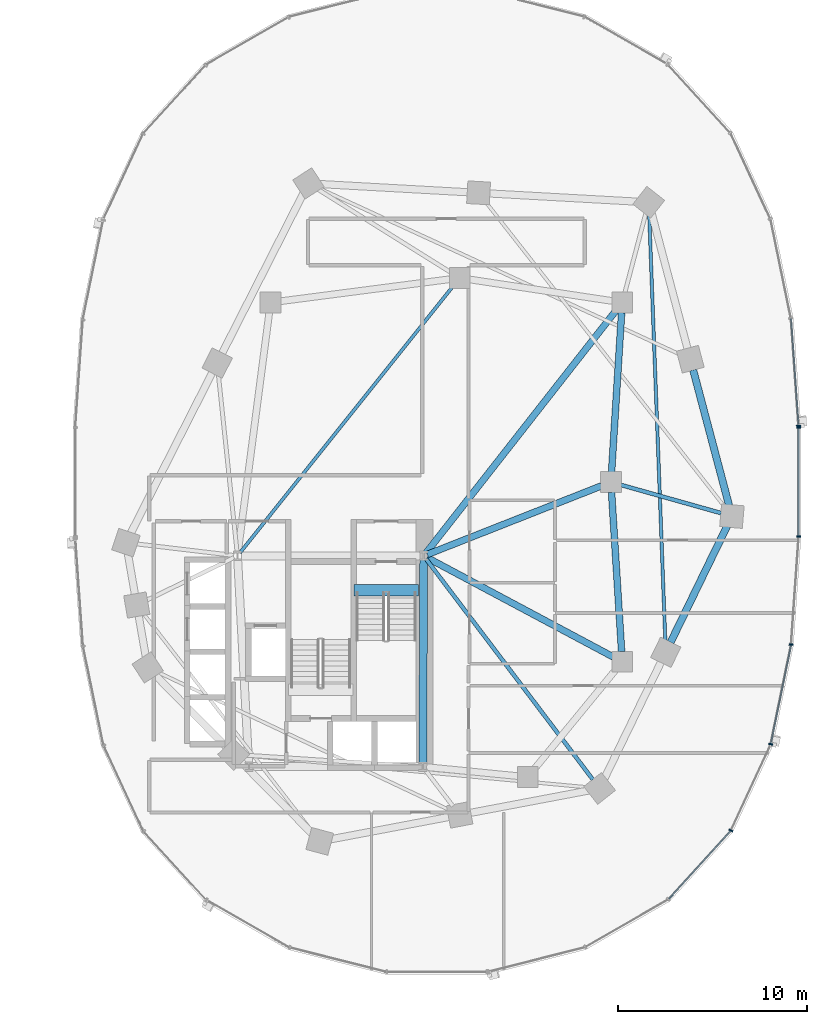
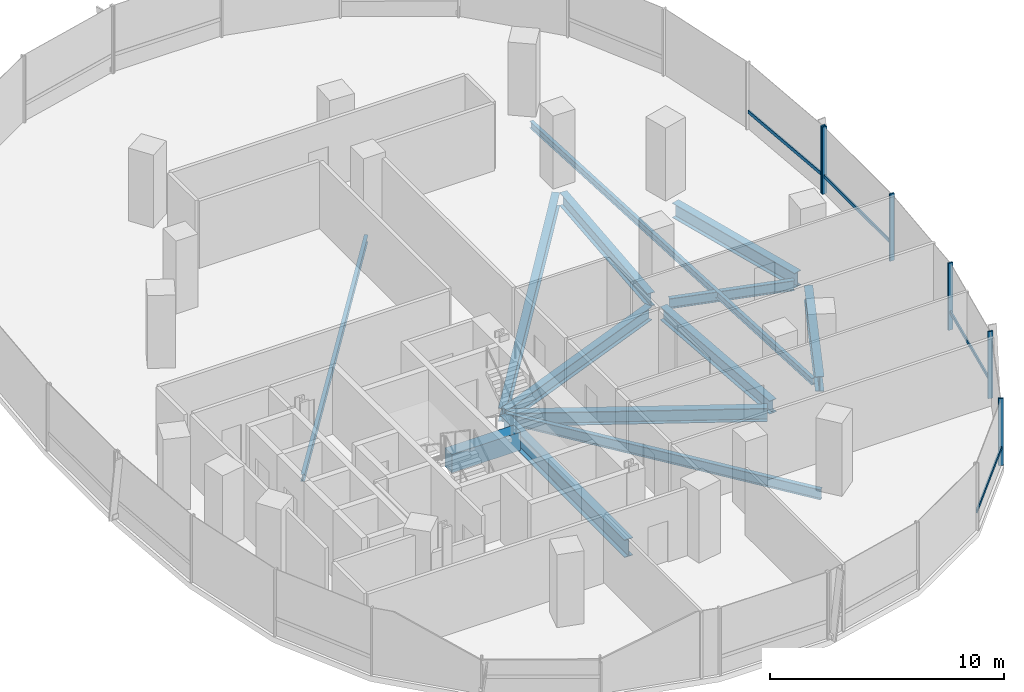
# One storey, part 6 of 21: 13 beams, 10 members, 2 elements without a shape of their own.
"""IFC4 building model written with IfcOpenShell, lengths in metres."""

from ifc_helpers import new_model, si_unit, direction, frame, origin, origin_2d, place, context, subcontext, project, spatial, rectangle, i_section, extrude, material, material_profile, profile_set, type_object, element, aggregate, save


model = new_model("IFC4")

# Units and contexts
model_context = context("Model", 3, precision=1e-05, world=origin(), true_north=direction((0.0, 1.0)))
body_context = subcontext(model_context, "Body", "Model", "MODEL_VIEW")
ifc_project = project(units=[si_unit("LENGTHUNIT", "METRE"), si_unit("AREAUNIT", "SQUARE_METRE"), si_unit("VOLUMEUNIT", "CUBIC_METRE"), si_unit("PLANEANGLEUNIT", "RADIAN"), si_unit("MASSUNIT", "GRAM", prefix="KILO"), si_unit("THERMODYNAMICTEMPERATUREUNIT", "KELVIN"), si_unit("POWERUNIT", "WATT")], contexts=[model_context])

# Site, building, storey
site_placement = place(None, origin())
site = spatial("IfcSite", under=ifc_project, at=site_placement, CompositionType="ELEMENT")
building_placement = place(site_placement, origin())
building = spatial("IfcBuilding", under=site, at=building_placement, Name="Cundina Bronze Exchange", CompositionType="ELEMENT")
storey_placement = place(building_placement, frame((0.0, 0.0, 31.60009765625)))
storey = spatial("IfcBuildingStorey", under=building, at=storey_placement, Name="L07", CompositionType="ELEMENT", Elevation=31.60009765625)

# Beams
ifc_material_1 = material(Name="Concrete C60/75", Category="concrete")
ifc_material_profile_1 = material_profile(ifc_material_1, rectangle(XDim=0.60009765625, YDim=0.949951171875, at=origin_2d()), Name="RC600X950", Category="concrete")
ifc_profile_set_1 = profile_set([ifc_material_profile_1], Name="Concrete C60/75")
beam_type_1 = type_object("IfcBeamType", Name="BM-COUP-RC950", PredefinedType="LINTEL", material=ifc_profile_set_1)
beam_1_placement = place(storey_placement, frame((27.6201171875, -5.719970703125, -0.47509765625), z_axis=(1.0, 0.0, 0.0), x_axis=(0.0, 1.0, 0.0)))
element("IfcBeam", 1, at=beam_1_placement, inside=storey, type_object=beam_type_1, Name="L07 Stair E1 Landing Header Beam", PredefinedType="LINTEL", context=body_context, shape_type="SweptSolid", body=[
    extrude(rectangle(XDim=0.60009765625, YDim=0.949951171875, at=origin_2d()), origin(), (0.0, 0.0, 1.0), 3.39990234375),
])
ifc_material_2 = material(Name="Steel ASTM A992 Grade 50", Category="steel")
ifc_material_profile_2 = material_profile(ifc_material_2, i_section(OverallWidth=0.2099609375, OverallDepth=0.532958984375, WebThickness=0.01025390625, FlangeThickness=0.015625, FilletRadius=0.013916015625, at=origin_2d()), Name="W21X62", Category="steel")
ifc_profile_set_2 = profile_set([ifc_material_profile_2], Name="Steel ASTM A992 Grade 50")
beam_type_2 = type_object("IfcBeamType", Name="BM-FLR-W21B", PredefinedType="BEAM", material=ifc_profile_set_2)
beam_2_placement = place(storey_placement, frame((31.423095703125, -4.062744140625, -0.566650390625), z_axis=(0.603106461849, -0.797660702101, 0.0), x_axis=(0.797660702101, 0.603106461849, 0.0)))
element("IfcBeam", 2, at=beam_2_placement, inside=storey, type_object=beam_type_2, Name="L07 Leg E Chordal Floor Beam 06", PredefinedType="BEAM", context=body_context, shape_type="SweptSolid", body=[
    extrude(i_section(OverallWidth=0.2099609375, OverallDepth=0.532958984375, WebThickness=0.01025390625, FlangeThickness=0.015625, FilletRadius=0.013916015625, at=origin_2d()), origin(), (0.0, 0.0, 1.0), 14.6279296875),
])
beam_3_placement = place(storey_placement, frame((41.718017578125, -0.145751953125, -0.566650390625), z_axis=(0.962650219971, -0.270748137554, 0.0), x_axis=(0.270748137554, 0.962650219971, 0.0)))
element("IfcBeam", 3, at=beam_3_placement, inside=storey, type_object=beam_type_2, Name="L07 Leg E Chordal Floor Beam 08", PredefinedType="BEAM", context=body_context, shape_type="SweptSolid", body=[
    extrude(i_section(OverallWidth=0.2099609375, OverallDepth=0.532958984375, WebThickness=0.01025390625, FlangeThickness=0.015625, FilletRadius=0.013916015625, at=origin_2d()), origin(), (0.0, 0.0, 1.0), 5.522216796875),
])
ifc_material_profile_3 = material_profile(ifc_material_2, i_section(OverallWidth=0.172119140625, OverallDepth=0.35791015625, WebThickness=0.0078125, FlangeThickness=0.01318359375, FilletRadius=0.010009765625, at=origin_2d()), Name="W14X38", Category="steel")
ifc_profile_set_3 = profile_set([ifc_material_profile_3], Name="Steel ASTM A992 Grade 50")
beam_type_3 = type_object("IfcBeamType", Name="BM-JST-W14", PredefinedType="JOIST", material=ifc_profile_set_3)
beam_4_placement = place(storey_placement, frame((21.577392578125, -3.740478515625, -0.47900390625), z_axis=(0.62436887964, 0.781129632095, 0.0), x_axis=(-0.781129632095, 0.62436887964, 0.0)))
element("IfcBeam", 4, at=beam_4_placement, inside=storey, type_object=beam_type_3, Name="L07 E Interior Core-to-Ring Joist 2", PredefinedType="JOIST", context=body_context, shape_type="SweptSolid", body=[
    extrude(i_section(OverallWidth=0.172119140625, OverallDepth=0.35791015625, WebThickness=0.0078125, FlangeThickness=0.01318359375, FilletRadius=0.010009765625, at=origin_2d()), origin(), (0.0, 0.0, 1.0), 18.076904296875),
])
beam_5_placement = place(storey_placement, frame((44.077880859375, -8.412353515625, -0.47900390625), z_axis=(-0.037794949147, 0.999285515666, 0.0), x_axis=(-0.999285515666, -0.037794949147, 0.0)))
element("IfcBeam", 5, at=beam_5_placement, inside=storey, type_object=beam_type_3, Name="L07 Leg E Lobe Floor Joist 07-10", PredefinedType="JOIST", context=body_context, shape_type="SweptSolid", body=[
    extrude(i_section(OverallWidth=0.172119140625, OverallDepth=0.35791015625, WebThickness=0.0078125, FlangeThickness=0.01318359375, FilletRadius=0.010009765625, at=origin_2d()), origin(), (0.0, 0.0, 1.0), 22.640869140625),
])
ifc_material_profile_4 = material_profile(ifc_material_2, i_section(OverallWidth=0.35498046875, OverallDepth=0.695068359375, WebThickness=0.015380859375, FlangeThickness=0.02490234375, FilletRadius=0.01806640625, at=origin_2d()), Name="W27X146", Category="steel")
ifc_profile_set_4 = profile_set([ifc_material_profile_4], Name="Steel ASTM A992 Grade 50")
beam_type_4 = type_object("IfcBeamType", Name="BM-RING-W27", PredefinedType="USERDEFINED", material=ifc_profile_set_4)
for number, where, z_axis, x_axis, name in (
    (6, (41.76611328125, -8.963134765625, -0.647705078125), (-0.06303715519, 0.998011180832, 0.0), (-0.998011180832, -0.06303715519, 0.0), "L07 E Inner Structural Ring Girder 03"),
    (7, (41.23388671875, 0.536865234375, -0.647705078125), (0.06303715519, 0.998011180832, 0.0), (-0.998011180832, 0.06303715519, 0.0), "L07 E Inner Structural Ring Girder 04"),
):
    element("IfcBeam", number, at=place(storey_placement, frame(where, z_axis=z_axis, x_axis=x_axis)), inside=storey, type_object=beam_type_4, Name=name, ObjectType="GIRDER", PredefinedType="USERDEFINED", context=body_context, shape_type="SweptSolid", body=[
        extrude(i_section(OverallWidth=0.35498046875, OverallDepth=0.695068359375, WebThickness=0.015380859375, FlangeThickness=0.02490234375, FilletRadius=0.01806640625, at=origin_2d()), origin(), (0.0, 0.0, 1.0), 8.443115234375),
    ])
beam_6_placement = place(storey_placement, frame((31.48974609375, -3.8251953125, -0.647705078125), z_axis=(0.930413235418, 0.366512225388, 0.0), x_axis=(-0.366512225388, 0.930413235418, 0.0)))
element("IfcBeam", 8, at=beam_6_placement, inside=storey, type_object=beam_type_4, Name="L07 E Core-to-Waist Tie Beam 1", ObjectType="GIRDER", PredefinedType="USERDEFINED", context=body_context, shape_type="SweptSolid", body=[
    extrude(i_section(OverallWidth=0.35498046875, OverallDepth=0.695068359375, WebThickness=0.015380859375, FlangeThickness=0.02490234375, FilletRadius=0.01806640625, at=origin_2d()), origin(), (0.0, 0.0, 1.0), 9.8984375),
])
beam_7_placement = place(storey_placement, frame((31.47998046875, -3.99609375, -0.647705078125), z_axis=(0.882354758239, -0.470584828286, 0.0), x_axis=(0.470584828286, 0.882354758239, 0.0)))
element("IfcBeam", 9, at=beam_7_placement, inside=storey, type_object=beam_type_4, Name="L07 E Core-to-Waist Tie Beam 2", ObjectType="GIRDER", PredefinedType="USERDEFINED", context=body_context, shape_type="SweptSolid", body=[
    extrude(i_section(OverallWidth=0.35498046875, OverallDepth=0.695068359375, WebThickness=0.015380859375, FlangeThickness=0.02490234375, FilletRadius=0.01806640625, at=origin_2d()), origin(), (0.0, 0.0, 1.0), 11.157958984375),
])
beam_8_placement = place(storey_placement, frame((31.42578125, -3.739501953125, -0.647705078125), z_axis=(0.616789275748, 0.787128318206, 0.0), x_axis=(-0.787128318206, 0.616789275748, 0.0)))
element("IfcBeam", 10, at=beam_8_placement, inside=storey, type_object=beam_type_4, Name="L07 E Core-to-Waist Tie Beam 3", ObjectType="GIRDER", PredefinedType="USERDEFINED", context=body_context, shape_type="SweptSolid", body=[
    extrude(i_section(OverallWidth=0.35498046875, OverallDepth=0.695068359375, WebThickness=0.015380859375, FlangeThickness=0.02490234375, FilletRadius=0.01806640625, at=origin_2d()), origin(), (0.0, 0.0, 1.0), 16.281982421875),
])
ifc_material_profile_5 = material_profile(ifc_material_2, i_section(OverallWidth=0.381103515625, OverallDepth=0.77294921875, WebThickness=0.0166015625, FlangeThickness=0.027099609375, FilletRadius=0.01904296875, at=origin_2d()), Name="W30X173", Category="steel")
ifc_profile_set_5 = profile_set([ifc_material_profile_5], Name="Steel ASTM A992 Grade 50")
beam_type_5 = type_object("IfcBeamType", Name="BM-RING-W30", PredefinedType="USERDEFINED", material=ifc_profile_set_5)
beam_9_placement = place(storey_placement, frame((44.357177734375, -8.47119140625, -0.6865234375), z_axis=(0.437190698904, 0.899368830231, 0.0), x_axis=(-0.899368830231, 0.437190698904, 0.0)))
element("IfcBeam", 11, at=beam_9_placement, inside=storey, type_object=beam_type_5, Name="L07 E Perimeter Ring Girder 07", ObjectType="GIRDER", PredefinedType="USERDEFINED", context=body_context, shape_type="SweptSolid", body=[
    extrude(i_section(OverallWidth=0.381103515625, OverallDepth=0.77294921875, WebThickness=0.0166015625, FlangeThickness=0.027099609375, FilletRadius=0.01904296875, at=origin_2d()), origin(), (0.0, 0.0, 1.0), 6.82958984375),
])
beam_10_placement = place(storey_placement, frame((47.44921875, -1.231689453125, -0.6865234375), z_axis=(-0.256177785604, 0.966629682021, 0.0), x_axis=(-0.966629682021, -0.256177785604, 0.0)))
element("IfcBeam", 12, at=beam_10_placement, inside=storey, type_object=beam_type_5, Name="L07 E Perimeter Ring Girder 08", ObjectType="GIRDER", PredefinedType="USERDEFINED", context=body_context, shape_type="SweptSolid", body=[
    extrude(i_section(OverallWidth=0.381103515625, OverallDepth=0.77294921875, WebThickness=0.0166015625, FlangeThickness=0.027099609375, FilletRadius=0.01904296875, at=origin_2d()), origin(), (0.0, 0.0, 1.0), 7.41064453125),
])
ifc_material_profile_6 = material_profile(ifc_material_2, i_section(OverallWidth=0.41796875, OverallDepth=0.927001953125, WebThickness=0.019287109375, FlangeThickness=0.031982421875, FilletRadius=0.02392578125, at=origin_2d()), Name="W36X231", Category="steel")
ifc_profile_set_6 = profile_set([ifc_material_profile_6], Name="Steel ASTM A992 Grade 50")
beam_type_6 = type_object("IfcBeamType", Name="BM-WRN-W36B", PredefinedType="USERDEFINED", material=ifc_profile_set_6)
beam_11_placement = place(storey_placement, frame((31.2509765625, -14.845947265625, -0.763671875), z_axis=(0.004477329608, 0.99998997671, 0.0), x_axis=(-0.99998997671, 0.004477329608, 0.0)))
element("IfcBeam", 13, at=beam_11_placement, inside=storey, type_object=beam_type_6, Name="L07 E Core Perimeter Tie Girder 4", ObjectType="GIRDER", PredefinedType="USERDEFINED", context=body_context, shape_type="SweptSolid", body=[
    extrude(i_section(OverallWidth=0.41796875, OverallDepth=0.927001953125, WebThickness=0.019287109375, FlangeThickness=0.031982421875, FilletRadius=0.02392578125, at=origin_2d()), origin(), (0.0, 0.0, 1.0), 10.741943359375),
])

# Curtain wall, member
ifc_material_3 = material(Name="Anodised Bronze Aluminium 6063-T6", Category="aluminium")
curtain_wall_type = type_object("IfcCurtainWallType", Name="CWS-TRD-LOW", PredefinedType="NOTDEFINED", material=ifc_material_3)
curtain_wall_1_placement = place(storey_placement, origin())
curtain_wall_1 = element("IfcCurtainWall", 14, at=curtain_wall_1_placement, inside=storey, type_object=curtain_wall_type, Name="L07 CW-02 Curtain Wall Run CWR-L07-E1", PredefinedType="NOTDEFINED")
ifc_material_profile_7 = material_profile(ifc_material_3, rectangle(XDim=0.074951171875, YDim=0.219970703125, at=origin_2d()), Name="AL75X220", Category="aluminium")
ifc_profile_set_7 = profile_set([ifc_material_profile_7], Name="Anodised Bronze Aluminium 6063-T6")
member_type_1 = type_object("IfcMemberType", Name="CWM-MUL-220", PredefinedType="MULLION", material=ifc_profile_set_7)
member_1_placement = place(storey_placement, frame((51.12451171875, 2.976318359375, 0.0), z_axis=(0.0, 0.0, 1.0), x_axis=(-0.070278787473, 0.997527389113, 0.0)))
member_1 = element("IfcMember", 15, at=member_1_placement, type_object=member_type_1, Name="CW-02 Mullion 1", PredefinedType="MULLION", context=body_context, shape_type="SweptSolid", body=[
    extrude(rectangle(XDim=0.074951171875, YDim=0.219970703125, at=origin_2d()), origin(), (0.0, 0.0, 1.0), 3.5),
])

# Curtain wall, members
curtain_wall_2_placement = place(storey_placement, origin())
curtain_wall_2 = element("IfcCurtainWall", 16, at=curtain_wall_2_placement, inside=storey, type_object=curtain_wall_type, Name="L07 CW-02 Curtain Wall Run CWR-L07-E4", PredefinedType="NOTDEFINED")
member_2_placement = place(storey_placement, frame((47.544189453125, -18.423583984375, 0.0), z_axis=(0.0, 0.0, 1.0), x_axis=(0.42087749791, 0.907117485088, 0.0)))
member_2 = element("IfcMember", 17, at=member_2_placement, type_object=member_type_1, Name="CW-02 Mullion 4", PredefinedType="MULLION", context=body_context, shape_type="SweptSolid", body=[
    extrude(rectangle(XDim=0.074951171875, YDim=0.219970703125, at=origin_2d()), origin(), (0.0, 0.0, 1.0), 3.5),
])
member_3_placement = place(storey_placement, frame((49.651123046875, -13.861328125, 0.0), z_axis=(0.0, 0.0, 1.0), x_axis=(0.201419845156, 0.979505000486, 0.0)))
member_3 = element("IfcMember", 18, at=member_3_placement, type_object=member_type_1, Name="CW-02 Mullion 5", PredefinedType="MULLION", context=body_context, shape_type="SweptSolid", body=[
    extrude(rectangle(XDim=0.074951171875, YDim=0.219970703125, at=origin_2d()), origin(), (0.0, 0.0, 1.0), 3.5),
])
member_4_placement = place(storey_placement, frame((50.72900390625, -8.591552734375, 0.0), z_axis=(0.0, 0.0, 1.0), x_axis=(0.070278787473, 0.997527389113, 0.0)))
member_4 = element("IfcMember", 19, at=member_4_placement, type_object=member_type_1, Name="CW-02 Mullion 6", PredefinedType="MULLION", context=body_context, shape_type="SweptSolid", body=[
    extrude(rectangle(XDim=0.074951171875, YDim=0.219970703125, at=origin_2d()), origin(), (0.0, 0.0, 1.0), 3.5),
])
member_5_placement = place(storey_placement, frame((51.1279296875, -2.880615234375, 0.0), z_axis=(0.0, 0.0, 1.0), x_axis=(0.0, 1.0, 0.0)))
member_5 = element("IfcMember", 20, at=member_5_placement, type_object=member_type_1, Name="CW-02 Mullion 7", PredefinedType="MULLION", context=body_context, shape_type="SweptSolid", body=[
    extrude(rectangle(XDim=0.074951171875, YDim=0.219970703125, at=origin_2d()), origin(), (0.0, 0.0, 1.0), 3.5),
])
member_6_placement = place(storey_placement, frame((51.1279296875, 2.880615234375, 0.0), z_axis=(0.0, 0.0, 1.0), x_axis=(0.0, 1.0, 0.0)))
member_6 = element("IfcMember", 21, at=member_6_placement, type_object=member_type_1, Name="CW-02 End Mullion", PredefinedType="MULLION", context=body_context, shape_type="SweptSolid", body=[
    extrude(rectangle(XDim=0.074951171875, YDim=0.219970703125, at=origin_2d()), origin(), (0.0, 0.0, 1.0), 3.5),
])

# Member
ifc_material_profile_8 = material_profile(ifc_material_3, rectangle(XDim=0.070068359375, YDim=0.179931640625, at=origin_2d()), Name="AL70X180", Category="aluminium")
ifc_profile_set_8 = profile_set([ifc_material_profile_8], Name="Anodised Bronze Aluminium 6063-T6")
member_type_2 = type_object("IfcMemberType", Name="CWM-TRN-180", PredefinedType="USERDEFINED", material=ifc_profile_set_8)
member_7_placement = place(storey_placement, frame((51.12158203125, 3.017333984375, 0.919921875), z_axis=(-0.070260714471, 0.997528662246, 0.0), x_axis=(-0.997528662246, -0.070260714471, 0.0)))
member_7 = element("IfcMember", 22, at=member_7_placement, type_object=member_type_2, Name="CW-02 Spandrel Transom 1", ObjectType="TRANSOM", PredefinedType="USERDEFINED", context=body_context, shape_type="SweptSolid", body=[
    extrude(rectangle(XDim=0.070068359375, YDim=0.179931640625, at=origin_2d()), origin(), (0.0, 0.0, 1.0), 5.629150390625),
])

aggregate(curtain_wall_1, [member_1, member_7])

member_8_placement = place(storey_placement, frame((44.26708984375, -22.027099609375, 0.919921875), z_axis=(0.674302794847, 0.738454968743, 0.0), x_axis=(-0.738454968743, 0.674302794847, 0.0)))
member_8 = element("IfcMember", 23, at=member_8_placement, type_object=member_type_2, Name="CW-02 Spandrel Transom 3", ObjectType="TRANSOM", PredefinedType="USERDEFINED", context=body_context, shape_type="SweptSolid", body=[
    extrude(rectangle(XDim=0.070068359375, YDim=0.179931640625, at=origin_2d()), origin(), (0.0, 0.0, 1.0), 4.848388671875),
])

member_9_placement = place(storey_placement, frame((49.659423828125, -13.821044921875, 0.919921875), z_axis=(0.201427712708, 0.979503382615, 0.0), x_axis=(-0.979503382615, 0.201427712708, 0.0)))
member_9 = element("IfcMember", 24, at=member_9_placement, type_object=member_type_2, Name="CW-02 Spandrel Transom 5", ObjectType="TRANSOM", PredefinedType="USERDEFINED", context=body_context, shape_type="SweptSolid", body=[
    extrude(rectangle(XDim=0.070068359375, YDim=0.179931640625, at=origin_2d()), origin(), (0.0, 0.0, 1.0), 5.291748046875),
])

member_10_placement = place(storey_placement, frame((51.1279296875, -2.839111328125, 0.919921875), z_axis=(0.0, 1.0, 0.0), x_axis=(-1.0, 0.0, 0.0)))
member_10 = element("IfcMember", 25, at=member_10_placement, type_object=member_type_2, Name="CW-02 Spandrel Transom 7", ObjectType="TRANSOM", PredefinedType="USERDEFINED", context=body_context, shape_type="SweptSolid", body=[
    extrude(rectangle(XDim=0.070068359375, YDim=0.179931640625, at=origin_2d()), origin(), (0.0, 0.0, 1.0), 5.67822265625),
])

aggregate(curtain_wall_2, [member_8, member_2, member_3, member_9, member_4, member_5, member_6, member_10])

save(model, "model.ifc")
